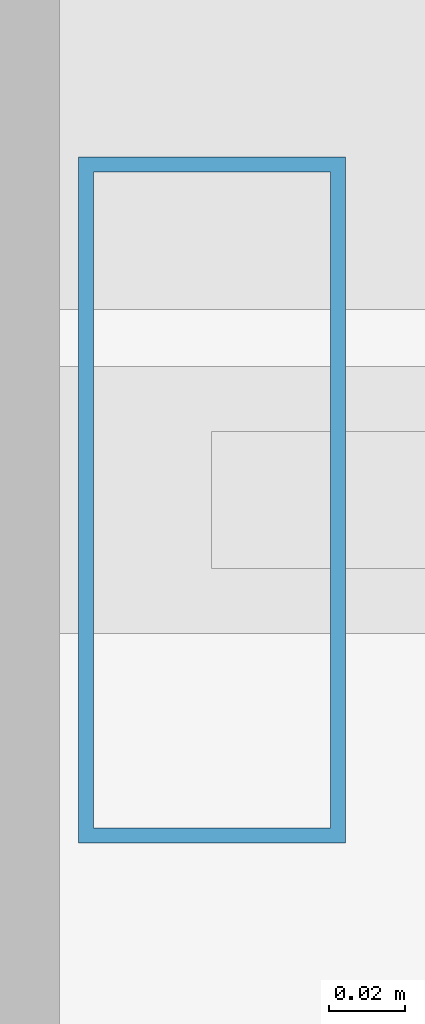
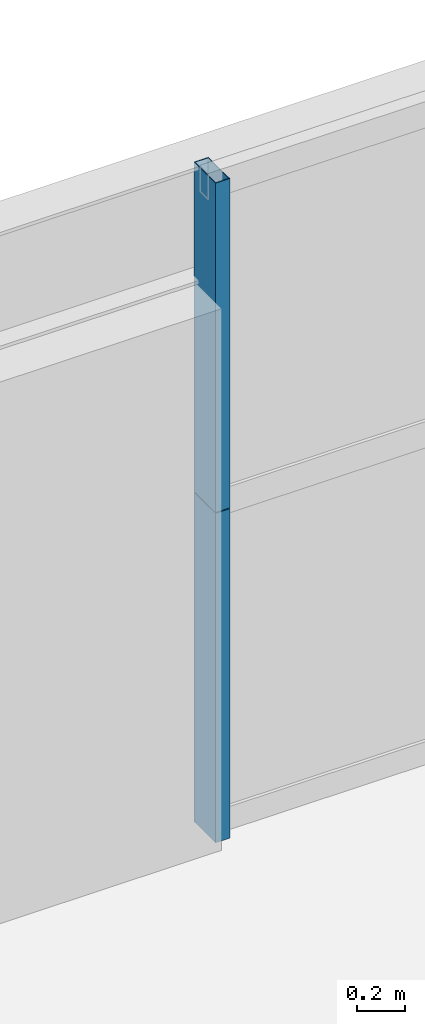
# One storey, part 26 of 43: 2 members, 1 element without a shape of its own.
"""IFC4 building model written with IfcOpenShell, lengths in metres."""

import ifcopenshell
import ifcopenshell.guid

model = None  # the IFC model being written
_history = None  # IfcOwnerHistory: only IFC2X3 demands one
_inside = {}  # id of a spatial element -> (the spatial element, [elements in it])
_under = {}  # id of a project, library or spatial element -> (it, [spatial elements below it])
_declared = {}  # id of a project -> (the project, [libraries it declares])
_typed = {}  # id of a type object -> (the type object, [elements of that type])
_made_of = {}  # id of a material, layer set ... -> (it, [elements and type objects made of it])


def new_model(schema):
    """Start an empty IFC model of exactly this schema.

    Asked for "IFC4X3", IfcOpenShell would pick the latest addendum, in which some entities
    have other attributes; the version numbers below select the first issue.
    IFC2X3 requires an IfcOwnerHistory on every rooted entity: one is made here for all.
    """
    global model, _history
    if schema == "IFC4X3":
        model = ifcopenshell.file(schema_version=(4, 3, 0, 0))
    else:
        model = ifcopenshell.file(schema=schema)
    _inside.clear()
    _under.clear()
    _declared.clear()
    _typed.clear()
    _made_of.clear()
    _history = None
    if model.schema == "IFC2X3":
        org = make("IfcOrganization", Name="unknown")
        user = make(
            "IfcPersonAndOrganization",
            ThePerson=make("IfcPerson", FamilyName="unknown"),
            TheOrganization=org,
        )
        app = make(
            "IfcApplication",
            ApplicationDeveloper=org,
            Version="unknown",
            ApplicationFullName="unknown",
            ApplicationIdentifier="unknown",
        )
        _history = make(
            "IfcOwnerHistory",
            OwningUser=user,
            OwningApplication=app,
            ChangeAction="ADDED",
            CreationDate=0,
        )
    return model


def make(cls, **values):
    """One entity of the class cls with the attributes given. An attribute that is None is left unset."""
    return model.create_entity(
        cls, **{name: value for name, value in values.items() if value is not None}
    )


def rooted(cls, **values):
    """An entity with a GlobalId (a new one), such as an element, a storey or a relation."""
    return make(cls, GlobalId=ifcopenshell.guid.new(), OwnerHistory=_history, **values)


def si_unit(unit_type, name, prefix=None):
    """IfcSIUnit, for example si_unit("LENGTHUNIT", "METRE", prefix="MILLI")."""
    return make("IfcSIUnit", UnitType=unit_type, Prefix=prefix, Name=name)


def assignment(units):
    """IfcUnitAssignment: the units of a project."""
    return None if units is None else make("IfcUnitAssignment", Units=units)


def point(xyz):
    """IfcCartesianPoint."""
    return None if xyz is None else make("IfcCartesianPoint", Coordinates=xyz)


def direction(xyz):
    """IfcDirection."""
    return None if xyz is None else make("IfcDirection", DirectionRatios=xyz)


def frame(location, z_axis=None, x_axis=None):
    """IfcAxis2Placement3D, a coordinate frame: its origin and axes. An axis left out is left unset."""
    return make(
        "IfcAxis2Placement3D",
        Location=point(location),
        Axis=direction(z_axis),
        RefDirection=direction(x_axis),
    )


def frame_2d(location, x_axis=None):
    """IfcAxis2Placement2D, a coordinate frame in the plane: its origin and x axis."""
    return make(
        "IfcAxis2Placement2D", Location=point(location), RefDirection=direction(x_axis)
    )


def origin():
    """The frame at (0, 0, 0) with its axes left unset."""
    return frame((0.0, 0.0, 0.0))


def origin_2d():
    """The frame at (0, 0) in the plane with its x axis left unset."""
    return frame_2d((0.0, 0.0))


def place(relative_to, where):
    """IfcLocalPlacement: puts the frame where relative to a parent placement (None: the world)."""
    return make(
        "IfcLocalPlacement", PlacementRelTo=relative_to, RelativePlacement=where
    )


def context(
    kind, dimensions, precision=None, world=None, true_north=None, identifier=None
):
    """IfcGeometricRepresentationContext, for example the 3D "Model" context."""
    return make(
        "IfcGeometricRepresentationContext",
        ContextIdentifier=identifier,
        ContextType=kind,
        CoordinateSpaceDimension=dimensions,
        Precision=precision,
        WorldCoordinateSystem=world,
        TrueNorth=true_north,
    )


def subcontext(parent, identifier, kind, view, scale=None):
    """IfcGeometricRepresentationSubContext, for example "Body" below "Model"."""
    return make(
        "IfcGeometricRepresentationSubContext",
        ContextIdentifier=identifier,
        ContextType=kind,
        ParentContext=parent,
        TargetScale=scale,
        TargetView=view,
    )


def project(units=None, contexts=None):
    """IfcProject with its units and contexts."""
    return rooted(
        "IfcProject",
        Name="project",
        RepresentationContexts=contexts,
        UnitsInContext=assignment(units),
    )


def spatial(cls, under=None, at=None, **own):
    """A site, building, storey or space (cls), placed at a placement, below another one or the project."""
    s = rooted(cls, ObjectPlacement=at, **own)
    if under is not None:
        _under.setdefault(under.id(), (under, []))[1].append(s)
    return s


def profile(cls, at=None, kind="AREA", **sizes):
    """A parametric profile (cls). Its sizes go by their IFC names, for example OverallWidth=200.0."""
    return make(cls, ProfileType=kind, Position=at, **sizes)


def hollow_rectangle(**sizes):
    """IfcRectangleHollowProfileDef."""
    return profile("IfcRectangleHollowProfileDef", **sizes)


def extrude(swept, where, along, depth):
    """IfcExtrudedAreaSolid: the profile swept, set in the frame where, extruded along a direction by depth."""
    return make(
        "IfcExtrudedAreaSolid",
        SweptArea=swept,
        Position=where,
        ExtrudedDirection=direction(along),
        Depth=depth,
    )


def shape(context_of_items, identifier, shape_type, items):
    """IfcShapeRepresentation: the items that make up one representation, for example the "Body"."""
    return make(
        "IfcShapeRepresentation",
        ContextOfItems=context_of_items,
        RepresentationIdentifier=identifier,
        RepresentationType=shape_type,
        Items=items,
    )


def source(mapping_origin, context_of_items, identifier, shape_type, items):
    """IfcRepresentationMap: a shape defined once, which mapped items show again and again."""
    return make(
        "IfcRepresentationMap",
        MappingOrigin=mapping_origin,
        MappedRepresentation=shape(context_of_items, identifier, shape_type, items),
    )


def transform(
    local_origin,
    x_axis=None,
    y_axis=None,
    z_axis=None,
    scale=None,
    scale2=None,
    scale3=None,
    uniform=True,
):
    """IfcCartesianTransformationOperator3D, or its non-uniform kind. x_axis, y_axis, z_axis: its Axis1, 2, 3."""
    if uniform:
        return make(
            "IfcCartesianTransformationOperator3D",
            Axis1=direction(x_axis),
            Axis2=direction(y_axis),
            LocalOrigin=point(local_origin),
            Scale=scale,
            Axis3=direction(z_axis),
        )
    return make(
        "IfcCartesianTransformationOperator3DnonUniform",
        Axis1=direction(x_axis),
        Axis2=direction(y_axis),
        LocalOrigin=point(local_origin),
        Scale=scale,
        Axis3=direction(z_axis),
        Scale2=scale2,
        Scale3=scale3,
    )


def mapped(mapping_source, mapping_target):
    """IfcMappedItem: shows the shape of a source again, moved by a transform."""
    return make(
        "IfcMappedItem", MappingSource=mapping_source, MappingTarget=mapping_target
    )


def material(Name=None, Category=None):
    """IfcMaterial."""
    return make("IfcMaterial", Name=Name, Category=Category)


def layer(
    of_material, thickness, ventilated=None, Name=None, Category=None, Priority=None
):
    """IfcMaterialLayer: one layer of a wall or slab, of a material (None: an air gap)."""
    return make(
        "IfcMaterialLayer",
        Material=of_material,
        LayerThickness=thickness,
        IsVentilated=ventilated,
        Name=Name,
        Category=Category,
        Priority=Priority,
    )


def layer_set(layers, Name=None):
    """IfcMaterialLayerSet."""
    return make("IfcMaterialLayerSet", MaterialLayers=layers, LayerSetName=Name)


def material_profile(
    of_material, cross_section, Name=None, Category=None, Priority=None
):
    """IfcMaterialProfile: a cross section and its material."""
    return make(
        "IfcMaterialProfile",
        Name=Name,
        Material=of_material,
        Profile=cross_section,
        Priority=Priority,
        Category=Category,
    )


def profile_set(profiles, Name=None, composite=None):
    """IfcMaterialProfileSet."""
    return make(
        "IfcMaterialProfileSet",
        Name=Name,
        MaterialProfiles=profiles,
        CompositeProfile=composite,
    )


def made_of(thing, what):
    """Note that an element or type object is made of a material, layer set ...; save() writes the relation."""
    if what is not None:
        _made_of.setdefault(what.id(), (what, []))[1].append(thing)
    return thing


def type_object(cls, material=None, **own):
    """A type object (cls), such as IfcWallType, which elements share."""
    return made_of(rooted(cls, **own), material)


def element(
    cls,
    number,
    at=None,
    inside=None,
    cuts=None,
    type_object=None,
    material=None,
    context=None,
    identifier="Body",
    shape_type=None,
    held_by="IfcProductDefinitionShape",
    body=None,
    shapes=None,
    **own,
):
    """One element of the class cls, such as IfcWall. Its Tag is "e" and its number.

    at: its placement. inside: the storey or other place that contains it. cuts: it is an
    opening in that element (IfcRelVoidsElement). A single representation is given by context,
    identifier, shape_type and body (its items); several are given by shapes. held_by: the class
    of the entity that holds the representations. save() writes the other relations.
    """
    e = rooted(cls, Tag="e%d" % number, ObjectPlacement=at, **own)
    if body is not None:
        shapes = [shape(context, identifier, shape_type, body)]
    if shapes is not None:
        e.Representation = make(held_by, Representations=shapes)
    if inside is not None:
        _inside.setdefault(inside.id(), (inside, []))[1].append(e)
    if cuts is not None:
        rooted(
            "IfcRelVoidsElement", RelatingBuildingElement=cuts, RelatedOpeningElement=e
        )
    if type_object is not None:
        _typed.setdefault(type_object.id(), (type_object, []))[1].append(e)
    return made_of(e, material)


def aggregate(whole, parts):
    """IfcRelAggregates: a whole, such as a stair, and the parts it consists of."""
    return rooted("IfcRelAggregates", RelatingObject=whole, RelatedObjects=parts)


def save(model, path):
    """Write the relations noted so far, then the file.

    IfcRelAggregates (storeys below a building ...), IfcRelContainedInSpatialStructure (elements
    in a storey), IfcRelDefinesByType, IfcRelAssociatesMaterial and IfcRelDeclares: one each for
    every whole, place, type object, material and project.
    """
    for whole, parts in _under.values():
        aggregate(whole, parts)
    for where, things in _inside.values():
        rooted(
            "IfcRelContainedInSpatialStructure",
            RelatedElements=things,
            RelatingStructure=where,
        )
    for kind, things in _typed.values():
        rooted("IfcRelDefinesByType", RelatedObjects=things, RelatingType=kind)
    for what, things in _made_of.values():
        rooted("IfcRelAssociatesMaterial", RelatedObjects=things, RelatingMaterial=what)
    for by, libraries in _declared.values():
        rooted("IfcRelDeclares", RelatingContext=by, RelatedDefinitions=libraries)
    model.write(path)


model = new_model("IFC4")

# Units and contexts
model_context = context("Model", 3, precision=1e-05, world=origin(), true_north=direction((0.0, 1.0)))
body_context = subcontext(model_context, "Body", "Model", "MODEL_VIEW")
ifc_project = project(units=[si_unit("LENGTHUNIT", "METRE"), si_unit("AREAUNIT", "SQUARE_METRE"), si_unit("VOLUMEUNIT", "CUBIC_METRE"), si_unit("PLANEANGLEUNIT", "RADIAN"), si_unit("MASSUNIT", "GRAM", prefix="KILO"), si_unit("THERMODYNAMICTEMPERATUREUNIT", "KELVIN"), si_unit("POWERUNIT", "WATT")], contexts=[model_context])

# Site, building, storey
site_placement = place(None, origin())
site = spatial("IfcSite", under=ifc_project, at=site_placement, CompositionType="ELEMENT")
building_placement = place(site_placement, origin())
building = spatial("IfcBuilding", under=site, at=building_placement, Name="Yuzanri Waterfront Tower", CompositionType="ELEMENT")
storey_placement = place(building_placement, frame((0.0, 0.0, 60.39990234375)))
storey = spatial("IfcBuildingStorey", under=building, at=storey_placement, Name="L15", CompositionType="ELEMENT", Elevation=60.39990234375)

# Curtain wall, members
ifc_material_1 = material(Name="Anodized Architectural Bronze", Category="metal")
ifc_layer = layer(ifc_material_1, 0.159912109375)
ifc_layer_set = layer_set([ifc_layer], Name="Anodized Architectural Bronze")
curtain_wall_type = type_object("IfcCurtainWallType", Name="Anodized Bronze Hotel Lower-Tier Recessed Unitized Curtain Wall 8100", PredefinedType="NOTDEFINED", material=ifc_layer_set)
curtain_wall_placement = place(storey_placement, origin())
curtain_wall = element("IfcCurtainWall", 1, at=curtain_wall_placement, inside=storey, type_object=curtain_wall_type, Name="L15 Curtain Wall CW-L15-NL", PredefinedType="NOTDEFINED")
ifc_material_2 = material(Name="Anodized Architectural Bronze", Category="metal")
ifc_material_profile = material_profile(ifc_material_2, hollow_rectangle(XDim=0.070068359375, YDim=0.179931640625, WallThickness=0.00390625, at=origin_2d()), Name="CWM 70x180")
ifc_profile_set = profile_set([ifc_material_profile], Name="Anodized Architectural Bronze")
member_type = type_object("IfcMemberType", Name="Anodized Bronze Standard Curtain-Wall Mullion 70x180", PredefinedType="MULLION", material=ifc_profile_set)
shared_shape = source(origin(), body_context, "Body", "SweptSolid", [
    extrude(hollow_rectangle(XDim=0.070068359375, YDim=0.179931640625, WallThickness=0.00390625, at=origin_2d()), origin(), (0.0, 0.0, 1.0), 1.68798828125),
])
member_1_placement = place(storey_placement, frame((19.2900390625, 50.75, 0.0), z_axis=(0.0, 0.0, 1.0), x_axis=(1.0, 0.0, 0.0)))
member_1 = element("IfcMember", 2, at=member_1_placement, type_object=member_type, Name="CW-L15-NL Lower Mullion 00", PredefinedType="MULLION", context=body_context, shape_type="MappedRepresentation", body=[
    mapped(shared_shape, transform((0.0, 0.0, 0.0), scale=1.0)),
])
member_2_placement = place(storey_placement, frame((19.2900390625, 50.75, 1.692138671875), z_axis=(0.0, 0.0, 1.0), x_axis=(1.0, 0.0, 0.0)))
member_2 = element("IfcMember", 3, at=member_2_placement, type_object=member_type, Name="CW-L15-NL Upper Mullion 00", PredefinedType="MULLION", context=body_context, shape_type="MappedRepresentation", body=[
    mapped(shared_shape, transform((0.0, 0.0, 0.0), scale=1.0)),
])
aggregate(curtain_wall, [member_1, member_2])

save(model, "model.ifc")
